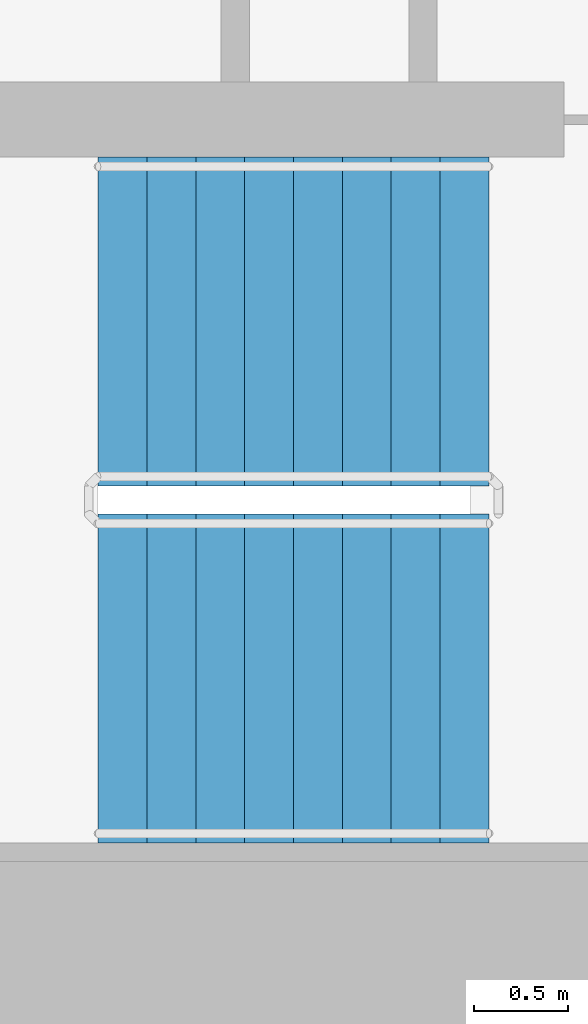
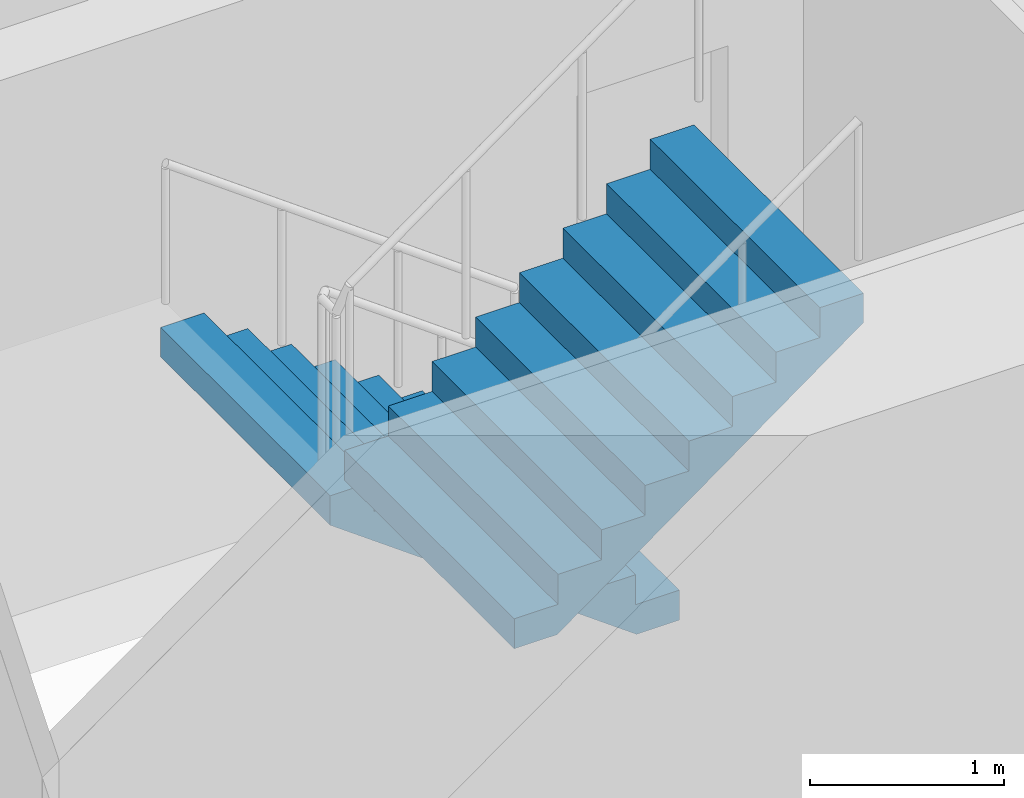
# One storey, part 16 of 21: 2 stair flights, 1 element without a shape of its own.
"""IFC4 building model written with IfcOpenShell, lengths in metres."""

from ifc_helpers import new_model, si_unit, direction, frame, origin, place, context, subcontext, project, spatial, faceted_brep, material, type_object, element, aggregate, save


model = new_model("IFC4")

# Units and contexts
model_context = context("Model", 3, precision=1e-05, world=origin(), true_north=direction((0.0, 1.0)))
body_context = subcontext(model_context, "Body", "Model", "MODEL_VIEW")
ifc_project = project(units=[si_unit("LENGTHUNIT", "METRE"), si_unit("AREAUNIT", "SQUARE_METRE"), si_unit("VOLUMEUNIT", "CUBIC_METRE"), si_unit("PLANEANGLEUNIT", "RADIAN"), si_unit("MASSUNIT", "GRAM", prefix="KILO")], contexts=[model_context])

# Site, building, storey
site_placement = place(None, origin())
site = spatial("IfcSite", under=ifc_project, at=site_placement, CompositionType="ELEMENT")
building_placement = place(site_placement, origin())
building = spatial("IfcBuilding", under=site, at=building_placement, Name="Ipe Terrace Towers", CompositionType="ELEMENT")
storey_placement = place(building_placement, frame((0.0, 0.0, 48.300048828125)))
storey = spatial("IfcBuildingStorey", under=building, at=storey_placement, Name="L12", CompositionType="ELEMENT", Elevation=48.300048828125)

# Stair, stair flights
ifc_material_1 = material(Name="Concrete C30/37", Category="concrete")
stair_type = type_object("IfcStairType", Name="Protected exit stair", PredefinedType="HALF_TURN_STAIR", material=ifc_material_1)
stair_placement = place(storey_placement, origin())
stair = element("IfcStair", 1, at=stair_placement, inside=storey, type_object=stair_type, Name="L12 Exit stair T1-C2", PredefinedType="HALF_TURN_STAIR")
ifc_material_2 = material(Name="Concrete C30/37", Category="concrete")
stair_flight_type = type_object("IfcStairFlightType", Name="Exit stair flight 1750", PredefinedType="STRAIGHT", material=ifc_material_2)
stair_flight_1_placement = place(storey_placement, frame((-45.699951171875, -2.77490234375, 0.0), z_axis=(0.0, 0.0, 1.0), x_axis=(-1.0, 0.0, 0.0)))
stair_flight_1 = element("IfcStairFlight", 2, at=stair_flight_1_placement, type_object=stair_flight_type, Name="T1-ST2 flight 1", NumberOfRisers=9, NumberOfTreads=8, PredefinedType="STRAIGHT", RiserHeight=0.188888889, TreadLength=0.26, context=body_context, shape_type="Brep", body=[
    faceted_brep([(0.255126953125, -0.875, 0.0), (2.080078125, -0.875, 1.325927734375), (2.080078125, -0.875, 1.51123046875), (1.820068359375, -0.875, 1.51123046875), (1.820068359375, -0.875, 1.322265625), (1.56005859375, -0.875, 1.322265625), (1.56005859375, -0.875, 1.13330078125), (1.300048828125, -0.875, 1.13330078125), (1.300048828125, -0.875, 0.9443359375), (1.0400390625, -0.875, 0.9443359375), (1.0400390625, -0.875, 0.755615234375), (0.780029296875, -0.875, 0.755615234375), (0.780029296875, -0.875, 0.566650390625), (0.52001953125, -0.875, 0.566650390625), (0.52001953125, -0.875, 0.377685546875), (0.260009765625, -0.875, 0.377685546875), (0.260009765625, -0.875, 0.18896484375), (0.0, -0.875, 0.18896484375), (0.0, -0.875, 0.0), (0.0, 0.875, 0.0), (0.0, 0.875, 0.18896484375), (0.260009765625, 0.875, 0.18896484375), (0.260009765625, 0.875, 0.377685546875), (0.52001953125, 0.875, 0.377685546875), (0.52001953125, 0.875, 0.566650390625), (0.780029296875, 0.875, 0.566650390625), (0.780029296875, 0.875, 0.755615234375), (1.0400390625, 0.875, 0.755615234375), (1.0400390625, 0.875, 0.9443359375), (1.300048828125, 0.875, 0.9443359375), (1.300048828125, 0.875, 1.13330078125), (1.56005859375, 0.875, 1.13330078125), (1.56005859375, 0.875, 1.322265625), (1.820068359375, 0.875, 1.322265625), (1.820068359375, 0.875, 1.51123046875), (2.080078125, 0.875, 1.51123046875), (2.080078125, 0.875, 1.325927734375), (0.255126953125, 0.875, 0.0), (0.0, -0.300048828125, 0.18896484375), (0.0, -0.1201171875, 0.18896484375), (0.0, -0.06005859375, 0.18896484375), (0.0, -0.030029296875, 0.18896484375), (0.0, -0.010009765625, 0.18896484375), (0.0, 0.0, 0.18896484375), (0.0, 0.010009765625, 0.18896484375), (0.0, 0.030029296875, 0.18896484375), (0.0, 0.06005859375, 0.18896484375), (0.0, 0.1201171875, 0.18896484375), (0.0, 0.300048828125, 0.18896484375), (0.0, 0.300048828125, 0.0), (0.0, 0.1201171875, 0.0), (0.0, 0.06005859375, 0.0), (0.0, 0.030029296875, 0.0), (0.0, 0.010009765625, 0.0), (0.0, 0.0, 0.0), (0.0, -0.010009765625, 0.0), (0.0, -0.030029296875, 0.0), (0.0, -0.06005859375, 0.0), (0.0, -0.1201171875, 0.0), (0.0, -0.300048828125, 0.0), (0.260009765625, -0.300048828125, 0.18896484375), (0.260009765625, -0.1201171875, 0.18896484375), (0.260009765625, -0.06005859375, 0.18896484375), (0.260009765625, -0.030029296875, 0.18896484375), (0.260009765625, -0.010009765625, 0.18896484375), (0.260009765625, 0.0, 0.18896484375), (0.260009765625, 0.010009765625, 0.18896484375), (0.260009765625, 0.030029296875, 0.18896484375), (0.260009765625, 0.06005859375, 0.18896484375), (0.260009765625, 0.1201171875, 0.18896484375), (0.260009765625, 0.300048828125, 0.18896484375), (0.260009765625, -0.300048828125, 0.377685546875), (0.260009765625, -0.1201171875, 0.377685546875), (0.260009765625, -0.06005859375, 0.377685546875), (0.260009765625, -0.030029296875, 0.377685546875), (0.260009765625, -0.010009765625, 0.377685546875), (0.260009765625, 0.0, 0.377685546875), (0.260009765625, 0.010009765625, 0.377685546875), (0.260009765625, 0.030029296875, 0.377685546875), (0.260009765625, 0.06005859375, 0.377685546875), (0.260009765625, 0.1201171875, 0.377685546875), (0.260009765625, 0.300048828125, 0.377685546875), (0.52001953125, -0.300048828125, 0.377685546875), (0.52001953125, -0.1201171875, 0.377685546875), (0.52001953125, -0.06005859375, 0.377685546875), (0.52001953125, -0.030029296875, 0.377685546875), (0.52001953125, -0.010009765625, 0.377685546875), (0.52001953125, 0.0, 0.377685546875), (0.52001953125, 0.010009765625, 0.377685546875), (0.52001953125, 0.030029296875, 0.377685546875), (0.52001953125, 0.06005859375, 0.377685546875), (0.52001953125, 0.1201171875, 0.377685546875), (0.52001953125, 0.300048828125, 0.377685546875), (0.52001953125, -0.300048828125, 0.566650390625), (0.52001953125, -0.1201171875, 0.566650390625), (0.52001953125, -0.06005859375, 0.566650390625), (0.52001953125, -0.030029296875, 0.566650390625), (0.52001953125, -0.010009765625, 0.566650390625), (0.52001953125, 0.0, 0.566650390625), (0.52001953125, 0.010009765625, 0.566650390625), (0.52001953125, 0.030029296875, 0.566650390625), (0.52001953125, 0.06005859375, 0.566650390625), (0.52001953125, 0.1201171875, 0.566650390625), (0.52001953125, 0.300048828125, 0.566650390625), (0.780029296875, -0.300048828125, 0.566650390625), (0.780029296875, -0.1201171875, 0.566650390625), (0.780029296875, -0.06005859375, 0.566650390625), (0.780029296875, -0.030029296875, 0.566650390625), (0.780029296875, -0.010009765625, 0.566650390625), (0.780029296875, 0.0, 0.566650390625), (0.780029296875, 0.010009765625, 0.566650390625), (0.780029296875, 0.030029296875, 0.566650390625), (0.780029296875, 0.06005859375, 0.566650390625), (0.780029296875, 0.1201171875, 0.566650390625), (0.780029296875, 0.300048828125, 0.566650390625), (0.780029296875, -0.300048828125, 0.755615234375), (0.780029296875, -0.1201171875, 0.755615234375), (0.780029296875, -0.06005859375, 0.755615234375), (0.780029296875, -0.030029296875, 0.755615234375), (0.780029296875, -0.010009765625, 0.755615234375), (0.780029296875, 0.0, 0.755615234375), (0.780029296875, 0.010009765625, 0.755615234375), (0.780029296875, 0.030029296875, 0.755615234375), (0.780029296875, 0.06005859375, 0.755615234375), (0.780029296875, 0.1201171875, 0.755615234375), (0.780029296875, 0.300048828125, 0.755615234375), (1.0400390625, -0.300048828125, 0.755615234375), (1.0400390625, -0.1201171875, 0.755615234375), (1.0400390625, -0.06005859375, 0.755615234375), (1.0400390625, -0.030029296875, 0.755615234375), (1.0400390625, -0.010009765625, 0.755615234375), (1.0400390625, 0.0, 0.755615234375), (1.0400390625, 0.010009765625, 0.755615234375), (1.0400390625, 0.030029296875, 0.755615234375), (1.0400390625, 0.06005859375, 0.755615234375), (1.0400390625, 0.1201171875, 0.755615234375), (1.0400390625, 0.300048828125, 0.755615234375), (1.0400390625, -0.300048828125, 0.9443359375), (1.0400390625, -0.1201171875, 0.9443359375), (1.0400390625, -0.06005859375, 0.9443359375), (1.0400390625, -0.030029296875, 0.9443359375), (1.0400390625, -0.010009765625, 0.9443359375), (1.0400390625, 0.0, 0.9443359375), (1.0400390625, 0.010009765625, 0.9443359375), (1.0400390625, 0.030029296875, 0.9443359375), (1.0400390625, 0.06005859375, 0.9443359375), (1.0400390625, 0.1201171875, 0.9443359375), (1.0400390625, 0.300048828125, 0.9443359375), (1.300048828125, -0.300048828125, 0.9443359375), (1.300048828125, -0.1201171875, 0.9443359375), (1.300048828125, -0.06005859375, 0.9443359375), (1.300048828125, -0.030029296875, 0.9443359375), (1.300048828125, -0.010009765625, 0.9443359375), (1.300048828125, 0.0, 0.9443359375), (1.300048828125, 0.010009765625, 0.9443359375), (1.300048828125, 0.030029296875, 0.9443359375), (1.300048828125, 0.06005859375, 0.9443359375), (1.300048828125, 0.1201171875, 0.9443359375), (1.300048828125, 0.300048828125, 0.9443359375), (1.300048828125, -0.300048828125, 1.13330078125), (1.300048828125, -0.1201171875, 1.13330078125), (1.300048828125, -0.06005859375, 1.13330078125), (1.300048828125, -0.030029296875, 1.13330078125), (1.300048828125, -0.010009765625, 1.13330078125), (1.300048828125, 0.0, 1.13330078125), (1.300048828125, 0.010009765625, 1.13330078125), (1.300048828125, 0.030029296875, 1.13330078125), (1.300048828125, 0.06005859375, 1.13330078125), (1.300048828125, 0.1201171875, 1.13330078125), (1.300048828125, 0.300048828125, 1.13330078125), (1.56005859375, -0.300048828125, 1.13330078125), (1.56005859375, -0.1201171875, 1.13330078125), (1.56005859375, -0.06005859375, 1.13330078125), (1.56005859375, -0.030029296875, 1.13330078125), (1.56005859375, -0.010009765625, 1.13330078125), (1.56005859375, 0.0, 1.13330078125), (1.56005859375, 0.010009765625, 1.13330078125), (1.56005859375, 0.030029296875, 1.13330078125), (1.56005859375, 0.06005859375, 1.13330078125), (1.56005859375, 0.1201171875, 1.13330078125), (1.56005859375, 0.300048828125, 1.13330078125), (1.56005859375, -0.300048828125, 1.322265625), (1.56005859375, -0.1201171875, 1.322265625), (1.56005859375, -0.06005859375, 1.322265625), (1.56005859375, -0.030029296875, 1.322265625), (1.56005859375, -0.010009765625, 1.322265625), (1.56005859375, 0.0, 1.322265625), (1.56005859375, 0.010009765625, 1.322265625), (1.56005859375, 0.030029296875, 1.322265625), (1.56005859375, 0.06005859375, 1.322265625), (1.56005859375, 0.1201171875, 1.322265625), (1.56005859375, 0.300048828125, 1.322265625), (1.820068359375, -0.300048828125, 1.322265625), (1.820068359375, -0.1201171875, 1.322265625), (1.820068359375, -0.06005859375, 1.322265625), (1.820068359375, -0.030029296875, 1.322265625), (1.820068359375, -0.010009765625, 1.322265625), (1.820068359375, 0.0, 1.322265625), (1.820068359375, 0.010009765625, 1.322265625), (1.820068359375, 0.030029296875, 1.322265625), (1.820068359375, 0.06005859375, 1.322265625), (1.820068359375, 0.1201171875, 1.322265625), (1.820068359375, 0.300048828125, 1.322265625), (1.820068359375, -0.300048828125, 1.51123046875), (1.820068359375, -0.1201171875, 1.51123046875), (1.820068359375, -0.06005859375, 1.51123046875), (1.820068359375, -0.030029296875, 1.51123046875), (1.820068359375, -0.010009765625, 1.51123046875), (1.820068359375, 0.0, 1.51123046875), (1.820068359375, 0.010009765625, 1.51123046875), (1.820068359375, 0.030029296875, 1.51123046875), (1.820068359375, 0.06005859375, 1.51123046875), (1.820068359375, 0.1201171875, 1.51123046875), (1.820068359375, 0.300048828125, 1.51123046875), (2.080078125, -0.300048828125, 1.51123046875), (2.080078125, -0.1201171875, 1.51123046875), (2.080078125, -0.06005859375, 1.51123046875), (2.080078125, -0.030029296875, 1.51123046875), (2.080078125, -0.010009765625, 1.51123046875), (2.080078125, 0.0, 1.51123046875), (2.080078125, 0.010009765625, 1.51123046875), (2.080078125, 0.030029296875, 1.51123046875), (2.080078125, 0.06005859375, 1.51123046875), (2.080078125, 0.1201171875, 1.51123046875), (2.080078125, 0.300048828125, 1.51123046875), (2.080078125, -0.300048828125, 1.325927734375), (2.080078125, -0.1201171875, 1.325927734375), (2.080078125, -0.06005859375, 1.325927734375), (2.080078125, -0.030029296875, 1.325927734375), (2.080078125, -0.010009765625, 1.325927734375), (2.080078125, 0.0, 1.325927734375), (2.080078125, 0.010009765625, 1.325927734375), (2.080078125, 0.030029296875, 1.325927734375), (2.080078125, 0.06005859375, 1.325927734375), (2.080078125, 0.1201171875, 1.325927734375), (2.080078125, 0.300048828125, 1.325927734375), (0.255126953125, -0.300048828125, 0.0), (0.255126953125, -0.1201171875, 0.0), (0.255126953125, -0.06005859375, 0.0), (0.255126953125, -0.030029296875, 0.0), (0.255126953125, -0.010009765625, 0.0), (0.255126953125, 0.0, 0.0), (0.255126953125, 0.010009765625, 0.0), (0.255126953125, 0.030029296875, 0.0), (0.255126953125, 0.06005859375, 0.0), (0.255126953125, 0.1201171875, 0.0), (0.255126953125, 0.300048828125, 0.0)], [[[0, 1, 2, 3, 4, 5, 6, 7, 8, 9, 10, 11, 12, 13, 14, 15, 16, 17, 18]], [[19, 20, 21, 22, 23, 24, 25, 26, 27, 28, 29, 30, 31, 32, 33, 34, 35, 36, 37]], [[17, 38, 39, 40, 41, 42, 43, 44, 45, 46, 47, 48, 20, 19, 49, 50, 51, 52, 53, 54, 55, 56, 57, 58, 59, 18]], [[16, 60, 61, 62, 63, 64, 65, 66, 67, 68, 69, 70, 21, 20, 48, 47, 46, 45, 44, 43, 42, 41, 40, 39, 38, 17]], [[15, 71, 72, 73, 74, 75, 76, 77, 78, 79, 80, 81, 22, 21, 70, 69, 68, 67, 66, 65, 64, 63, 62, 61, 60, 16]], [[14, 82, 83, 84, 85, 86, 87, 88, 89, 90, 91, 92, 23, 22, 81, 80, 79, 78, 77, 76, 75, 74, 73, 72, 71, 15]], [[13, 93, 94, 95, 96, 97, 98, 99, 100, 101, 102, 103, 24, 23, 92, 91, 90, 89, 88, 87, 86, 85, 84, 83, 82, 14]], [[12, 104, 105, 106, 107, 108, 109, 110, 111, 112, 113, 114, 25, 24, 103, 102, 101, 100, 99, 98, 97, 96, 95, 94, 93, 13]], [[11, 115, 116, 117, 118, 119, 120, 121, 122, 123, 124, 125, 26, 25, 114, 113, 112, 111, 110, 109, 108, 107, 106, 105, 104, 12]], [[10, 126, 127, 128, 129, 130, 131, 132, 133, 134, 135, 136, 27, 26, 125, 124, 123, 122, 121, 120, 119, 118, 117, 116, 115, 11]], [[9, 137, 138, 139, 140, 141, 142, 143, 144, 145, 146, 147, 28, 27, 136, 135, 134, 133, 132, 131, 130, 129, 128, 127, 126, 10]], [[8, 148, 149, 150, 151, 152, 153, 154, 155, 156, 157, 158, 29, 28, 147, 146, 145, 144, 143, 142, 141, 140, 139, 138, 137, 9]], [[7, 159, 160, 161, 162, 163, 164, 165, 166, 167, 168, 169, 30, 29, 158, 157, 156, 155, 154, 153, 152, 151, 150, 149, 148, 8]], [[6, 170, 171, 172, 173, 174, 175, 176, 177, 178, 179, 180, 31, 30, 169, 168, 167, 166, 165, 164, 163, 162, 161, 160, 159, 7]], [[5, 181, 182, 183, 184, 185, 186, 187, 188, 189, 190, 191, 32, 31, 180, 179, 178, 177, 176, 175, 174, 173, 172, 171, 170, 6]], [[4, 192, 193, 194, 195, 196, 197, 198, 199, 200, 201, 202, 33, 32, 191, 190, 189, 188, 187, 186, 185, 184, 183, 182, 181, 5]], [[3, 203, 204, 205, 206, 207, 208, 209, 210, 211, 212, 213, 34, 33, 202, 201, 200, 199, 198, 197, 196, 195, 194, 193, 192, 4]], [[2, 214, 215, 216, 217, 218, 219, 220, 221, 222, 223, 224, 35, 34, 213, 212, 211, 210, 209, 208, 207, 206, 205, 204, 203, 3]], [[1, 225, 226, 227, 228, 229, 230, 231, 232, 233, 234, 235, 36, 35, 224, 223, 222, 221, 220, 219, 218, 217, 216, 215, 214, 2]], [[0, 236, 237, 238, 239, 240, 241, 242, 243, 244, 245, 246, 37, 36, 235, 234, 233, 232, 231, 230, 229, 228, 227, 226, 225, 1]], [[18, 59, 58, 57, 56, 55, 54, 53, 52, 51, 50, 49, 19, 37, 246, 245, 244, 243, 242, 241, 240, 239, 238, 237, 236, 0]]]),
])
stair_flight_2_placement = place(storey_placement, frame((-47.780029296875, -4.675048828125, 1.699951171875), z_axis=(0.0, 0.0, 1.0), x_axis=(1.0, 0.0, 0.0)))
stair_flight_2 = element("IfcStairFlight", 3, at=stair_flight_2_placement, type_object=stair_flight_type, Name="T1-ST2 flight 2", NumberOfRisers=9, NumberOfTreads=8, PredefinedType="STRAIGHT", RiserHeight=0.188888889, TreadLength=0.26, context=body_context, shape_type="Brep", body=[
    faceted_brep([(0.255126953125, -0.875, 0.0), (2.080078125, -0.875, 1.325927734375), (2.080078125, -0.875, 1.51123046875), (1.820068359375, -0.875, 1.51123046875), (1.820068359375, -0.875, 1.322265625), (1.56005859375, -0.875, 1.322265625), (1.56005859375, -0.875, 1.13330078125), (1.300048828125, -0.875, 1.13330078125), (1.300048828125, -0.875, 0.9443359375), (1.0400390625, -0.875, 0.9443359375), (1.0400390625, -0.875, 0.755615234375), (0.780029296875, -0.875, 0.755615234375), (0.780029296875, -0.875, 0.566650390625), (0.52001953125, -0.875, 0.566650390625), (0.52001953125, -0.875, 0.377685546875), (0.260009765625, -0.875, 0.377685546875), (0.260009765625, -0.875, 0.18896484375), (0.0, -0.875, 0.18896484375), (0.0, -0.875, 0.0), (0.0, 0.875, 0.0), (0.0, 0.875, 0.18896484375), (0.260009765625, 0.875, 0.18896484375), (0.260009765625, 0.875, 0.377685546875), (0.52001953125, 0.875, 0.377685546875), (0.52001953125, 0.875, 0.566650390625), (0.780029296875, 0.875, 0.566650390625), (0.780029296875, 0.875, 0.755615234375), (1.0400390625, 0.875, 0.755615234375), (1.0400390625, 0.875, 0.9443359375), (1.300048828125, 0.875, 0.9443359375), (1.300048828125, 0.875, 1.13330078125), (1.56005859375, 0.875, 1.13330078125), (1.56005859375, 0.875, 1.322265625), (1.820068359375, 0.875, 1.322265625), (1.820068359375, 0.875, 1.51123046875), (2.080078125, 0.875, 1.51123046875), (2.080078125, 0.875, 1.325927734375), (0.255126953125, 0.875, 0.0), (0.0, -0.300048828125, 0.18896484375), (0.0, -0.1201171875, 0.18896484375), (0.0, -0.06005859375, 0.18896484375), (0.0, -0.030029296875, 0.18896484375), (0.0, -0.010009765625, 0.18896484375), (0.0, 0.0, 0.18896484375), (0.0, 0.010009765625, 0.18896484375), (0.0, 0.030029296875, 0.18896484375), (0.0, 0.06005859375, 0.18896484375), (0.0, 0.1201171875, 0.18896484375), (0.0, 0.300048828125, 0.18896484375), (0.0, 0.300048828125, 0.0), (0.0, 0.1201171875, 0.0), (0.0, 0.06005859375, 0.0), (0.0, 0.030029296875, 0.0), (0.0, 0.010009765625, 0.0), (0.0, 0.0, 0.0), (0.0, -0.010009765625, 0.0), (0.0, -0.030029296875, 0.0), (0.0, -0.06005859375, 0.0), (0.0, -0.1201171875, 0.0), (0.0, -0.300048828125, 0.0), (0.260009765625, -0.300048828125, 0.18896484375), (0.260009765625, -0.1201171875, 0.18896484375), (0.260009765625, -0.06005859375, 0.18896484375), (0.260009765625, -0.030029296875, 0.18896484375), (0.260009765625, -0.010009765625, 0.18896484375), (0.260009765625, 0.0, 0.18896484375), (0.260009765625, 0.010009765625, 0.18896484375), (0.260009765625, 0.030029296875, 0.18896484375), (0.260009765625, 0.06005859375, 0.18896484375), (0.260009765625, 0.1201171875, 0.18896484375), (0.260009765625, 0.300048828125, 0.18896484375), (0.260009765625, -0.300048828125, 0.377685546875), (0.260009765625, -0.1201171875, 0.377685546875), (0.260009765625, -0.06005859375, 0.377685546875), (0.260009765625, -0.030029296875, 0.377685546875), (0.260009765625, -0.010009765625, 0.377685546875), (0.260009765625, 0.0, 0.377685546875), (0.260009765625, 0.010009765625, 0.377685546875), (0.260009765625, 0.030029296875, 0.377685546875), (0.260009765625, 0.06005859375, 0.377685546875), (0.260009765625, 0.1201171875, 0.377685546875), (0.260009765625, 0.300048828125, 0.377685546875), (0.52001953125, -0.300048828125, 0.377685546875), (0.52001953125, -0.1201171875, 0.377685546875), (0.52001953125, -0.06005859375, 0.377685546875), (0.52001953125, -0.030029296875, 0.377685546875), (0.52001953125, -0.010009765625, 0.377685546875), (0.52001953125, 0.0, 0.377685546875), (0.52001953125, 0.010009765625, 0.377685546875), (0.52001953125, 0.030029296875, 0.377685546875), (0.52001953125, 0.06005859375, 0.377685546875), (0.52001953125, 0.1201171875, 0.377685546875), (0.52001953125, 0.300048828125, 0.377685546875), (0.52001953125, -0.300048828125, 0.566650390625), (0.52001953125, -0.1201171875, 0.566650390625), (0.52001953125, -0.06005859375, 0.566650390625), (0.52001953125, -0.030029296875, 0.566650390625), (0.52001953125, -0.010009765625, 0.566650390625), (0.52001953125, 0.0, 0.566650390625), (0.52001953125, 0.010009765625, 0.566650390625), (0.52001953125, 0.030029296875, 0.566650390625), (0.52001953125, 0.06005859375, 0.566650390625), (0.52001953125, 0.1201171875, 0.566650390625), (0.52001953125, 0.300048828125, 0.566650390625), (0.780029296875, -0.300048828125, 0.566650390625), (0.780029296875, -0.1201171875, 0.566650390625), (0.780029296875, -0.06005859375, 0.566650390625), (0.780029296875, -0.030029296875, 0.566650390625), (0.780029296875, -0.010009765625, 0.566650390625), (0.780029296875, 0.0, 0.566650390625), (0.780029296875, 0.010009765625, 0.566650390625), (0.780029296875, 0.030029296875, 0.566650390625), (0.780029296875, 0.06005859375, 0.566650390625), (0.780029296875, 0.1201171875, 0.566650390625), (0.780029296875, 0.300048828125, 0.566650390625), (0.780029296875, -0.300048828125, 0.755615234375), (0.780029296875, -0.1201171875, 0.755615234375), (0.780029296875, -0.06005859375, 0.755615234375), (0.780029296875, -0.030029296875, 0.755615234375), (0.780029296875, -0.010009765625, 0.755615234375), (0.780029296875, 0.0, 0.755615234375), (0.780029296875, 0.010009765625, 0.755615234375), (0.780029296875, 0.030029296875, 0.755615234375), (0.780029296875, 0.06005859375, 0.755615234375), (0.780029296875, 0.1201171875, 0.755615234375), (0.780029296875, 0.300048828125, 0.755615234375), (1.0400390625, -0.300048828125, 0.755615234375), (1.0400390625, -0.1201171875, 0.755615234375), (1.0400390625, -0.06005859375, 0.755615234375), (1.0400390625, -0.030029296875, 0.755615234375), (1.0400390625, -0.010009765625, 0.755615234375), (1.0400390625, 0.0, 0.755615234375), (1.0400390625, 0.010009765625, 0.755615234375), (1.0400390625, 0.030029296875, 0.755615234375), (1.0400390625, 0.06005859375, 0.755615234375), (1.0400390625, 0.1201171875, 0.755615234375), (1.0400390625, 0.300048828125, 0.755615234375), (1.0400390625, -0.300048828125, 0.9443359375), (1.0400390625, -0.1201171875, 0.9443359375), (1.0400390625, -0.06005859375, 0.9443359375), (1.0400390625, -0.030029296875, 0.9443359375), (1.0400390625, -0.010009765625, 0.9443359375), (1.0400390625, 0.0, 0.9443359375), (1.0400390625, 0.010009765625, 0.9443359375), (1.0400390625, 0.030029296875, 0.9443359375), (1.0400390625, 0.06005859375, 0.9443359375), (1.0400390625, 0.1201171875, 0.9443359375), (1.0400390625, 0.300048828125, 0.9443359375), (1.300048828125, -0.300048828125, 0.9443359375), (1.300048828125, -0.1201171875, 0.9443359375), (1.300048828125, -0.06005859375, 0.9443359375), (1.300048828125, -0.030029296875, 0.9443359375), (1.300048828125, -0.010009765625, 0.9443359375), (1.300048828125, 0.0, 0.9443359375), (1.300048828125, 0.010009765625, 0.9443359375), (1.300048828125, 0.030029296875, 0.9443359375), (1.300048828125, 0.06005859375, 0.9443359375), (1.300048828125, 0.1201171875, 0.9443359375), (1.300048828125, 0.300048828125, 0.9443359375), (1.300048828125, -0.300048828125, 1.13330078125), (1.300048828125, -0.1201171875, 1.13330078125), (1.300048828125, -0.06005859375, 1.13330078125), (1.300048828125, -0.030029296875, 1.13330078125), (1.300048828125, -0.010009765625, 1.13330078125), (1.300048828125, 0.0, 1.13330078125), (1.300048828125, 0.010009765625, 1.13330078125), (1.300048828125, 0.030029296875, 1.13330078125), (1.300048828125, 0.06005859375, 1.13330078125), (1.300048828125, 0.1201171875, 1.13330078125), (1.300048828125, 0.300048828125, 1.13330078125), (1.56005859375, -0.300048828125, 1.13330078125), (1.56005859375, -0.1201171875, 1.13330078125), (1.56005859375, -0.06005859375, 1.13330078125), (1.56005859375, -0.030029296875, 1.13330078125), (1.56005859375, -0.010009765625, 1.13330078125), (1.56005859375, 0.0, 1.13330078125), (1.56005859375, 0.010009765625, 1.13330078125), (1.56005859375, 0.030029296875, 1.13330078125), (1.56005859375, 0.06005859375, 1.13330078125), (1.56005859375, 0.1201171875, 1.13330078125), (1.56005859375, 0.300048828125, 1.13330078125), (1.56005859375, -0.300048828125, 1.322265625), (1.56005859375, -0.1201171875, 1.322265625), (1.56005859375, -0.06005859375, 1.322265625), (1.56005859375, -0.030029296875, 1.322265625), (1.56005859375, -0.010009765625, 1.322265625), (1.56005859375, 0.0, 1.322265625), (1.56005859375, 0.010009765625, 1.322265625), (1.56005859375, 0.030029296875, 1.322265625), (1.56005859375, 0.06005859375, 1.322265625), (1.56005859375, 0.1201171875, 1.322265625), (1.56005859375, 0.300048828125, 1.322265625), (1.820068359375, -0.300048828125, 1.322265625), (1.820068359375, -0.1201171875, 1.322265625), (1.820068359375, -0.06005859375, 1.322265625), (1.820068359375, -0.030029296875, 1.322265625), (1.820068359375, -0.010009765625, 1.322265625), (1.820068359375, 0.0, 1.322265625), (1.820068359375, 0.010009765625, 1.322265625), (1.820068359375, 0.030029296875, 1.322265625), (1.820068359375, 0.06005859375, 1.322265625), (1.820068359375, 0.1201171875, 1.322265625), (1.820068359375, 0.300048828125, 1.322265625), (1.820068359375, -0.300048828125, 1.51123046875), (1.820068359375, -0.1201171875, 1.51123046875), (1.820068359375, -0.06005859375, 1.51123046875), (1.820068359375, -0.030029296875, 1.51123046875), (1.820068359375, -0.010009765625, 1.51123046875), (1.820068359375, 0.0, 1.51123046875), (1.820068359375, 0.010009765625, 1.51123046875), (1.820068359375, 0.030029296875, 1.51123046875), (1.820068359375, 0.06005859375, 1.51123046875), (1.820068359375, 0.1201171875, 1.51123046875), (1.820068359375, 0.300048828125, 1.51123046875), (2.080078125, -0.300048828125, 1.51123046875), (2.080078125, -0.1201171875, 1.51123046875), (2.080078125, -0.06005859375, 1.51123046875), (2.080078125, -0.030029296875, 1.51123046875), (2.080078125, -0.010009765625, 1.51123046875), (2.080078125, 0.0, 1.51123046875), (2.080078125, 0.010009765625, 1.51123046875), (2.080078125, 0.030029296875, 1.51123046875), (2.080078125, 0.06005859375, 1.51123046875), (2.080078125, 0.1201171875, 1.51123046875), (2.080078125, 0.300048828125, 1.51123046875), (2.080078125, -0.300048828125, 1.325927734375), (2.080078125, -0.1201171875, 1.325927734375), (2.080078125, -0.06005859375, 1.325927734375), (2.080078125, -0.030029296875, 1.325927734375), (2.080078125, -0.010009765625, 1.325927734375), (2.080078125, 0.0, 1.325927734375), (2.080078125, 0.010009765625, 1.325927734375), (2.080078125, 0.030029296875, 1.325927734375), (2.080078125, 0.06005859375, 1.325927734375), (2.080078125, 0.1201171875, 1.325927734375), (2.080078125, 0.300048828125, 1.325927734375), (0.255126953125, -0.300048828125, 0.0), (0.255126953125, -0.1201171875, 0.0), (0.255126953125, -0.06005859375, 0.0), (0.255126953125, -0.030029296875, 0.0), (0.255126953125, -0.010009765625, 0.0), (0.255126953125, 0.0, 0.0), (0.255126953125, 0.010009765625, 0.0), (0.255126953125, 0.030029296875, 0.0), (0.255126953125, 0.06005859375, 0.0), (0.255126953125, 0.1201171875, 0.0), (0.255126953125, 0.300048828125, 0.0)], [[[0, 1, 2, 3, 4, 5, 6, 7, 8, 9, 10, 11, 12, 13, 14, 15, 16, 17, 18]], [[19, 20, 21, 22, 23, 24, 25, 26, 27, 28, 29, 30, 31, 32, 33, 34, 35, 36, 37]], [[17, 38, 39, 40, 41, 42, 43, 44, 45, 46, 47, 48, 20, 19, 49, 50, 51, 52, 53, 54, 55, 56, 57, 58, 59, 18]], [[16, 60, 61, 62, 63, 64, 65, 66, 67, 68, 69, 70, 21, 20, 48, 47, 46, 45, 44, 43, 42, 41, 40, 39, 38, 17]], [[15, 71, 72, 73, 74, 75, 76, 77, 78, 79, 80, 81, 22, 21, 70, 69, 68, 67, 66, 65, 64, 63, 62, 61, 60, 16]], [[14, 82, 83, 84, 85, 86, 87, 88, 89, 90, 91, 92, 23, 22, 81, 80, 79, 78, 77, 76, 75, 74, 73, 72, 71, 15]], [[13, 93, 94, 95, 96, 97, 98, 99, 100, 101, 102, 103, 24, 23, 92, 91, 90, 89, 88, 87, 86, 85, 84, 83, 82, 14]], [[12, 104, 105, 106, 107, 108, 109, 110, 111, 112, 113, 114, 25, 24, 103, 102, 101, 100, 99, 98, 97, 96, 95, 94, 93, 13]], [[11, 115, 116, 117, 118, 119, 120, 121, 122, 123, 124, 125, 26, 25, 114, 113, 112, 111, 110, 109, 108, 107, 106, 105, 104, 12]], [[10, 126, 127, 128, 129, 130, 131, 132, 133, 134, 135, 136, 27, 26, 125, 124, 123, 122, 121, 120, 119, 118, 117, 116, 115, 11]], [[9, 137, 138, 139, 140, 141, 142, 143, 144, 145, 146, 147, 28, 27, 136, 135, 134, 133, 132, 131, 130, 129, 128, 127, 126, 10]], [[8, 148, 149, 150, 151, 152, 153, 154, 155, 156, 157, 158, 29, 28, 147, 146, 145, 144, 143, 142, 141, 140, 139, 138, 137, 9]], [[7, 159, 160, 161, 162, 163, 164, 165, 166, 167, 168, 169, 30, 29, 158, 157, 156, 155, 154, 153, 152, 151, 150, 149, 148, 8]], [[6, 170, 171, 172, 173, 174, 175, 176, 177, 178, 179, 180, 31, 30, 169, 168, 167, 166, 165, 164, 163, 162, 161, 160, 159, 7]], [[5, 181, 182, 183, 184, 185, 186, 187, 188, 189, 190, 191, 32, 31, 180, 179, 178, 177, 176, 175, 174, 173, 172, 171, 170, 6]], [[4, 192, 193, 194, 195, 196, 197, 198, 199, 200, 201, 202, 33, 32, 191, 190, 189, 188, 187, 186, 185, 184, 183, 182, 181, 5]], [[3, 203, 204, 205, 206, 207, 208, 209, 210, 211, 212, 213, 34, 33, 202, 201, 200, 199, 198, 197, 196, 195, 194, 193, 192, 4]], [[2, 214, 215, 216, 217, 218, 219, 220, 221, 222, 223, 224, 35, 34, 213, 212, 211, 210, 209, 208, 207, 206, 205, 204, 203, 3]], [[1, 225, 226, 227, 228, 229, 230, 231, 232, 233, 234, 235, 36, 35, 224, 223, 222, 221, 220, 219, 218, 217, 216, 215, 214, 2]], [[0, 236, 237, 238, 239, 240, 241, 242, 243, 244, 245, 246, 37, 36, 235, 234, 233, 232, 231, 230, 229, 228, 227, 226, 225, 1]], [[18, 59, 58, 57, 56, 55, 54, 53, 52, 51, 50, 49, 19, 37, 246, 245, 244, 243, 242, 241, 240, 239, 238, 237, 236, 0]]]),
])
aggregate(stair, [stair_flight_1, stair_flight_2])

save(model, "model.ifc")
